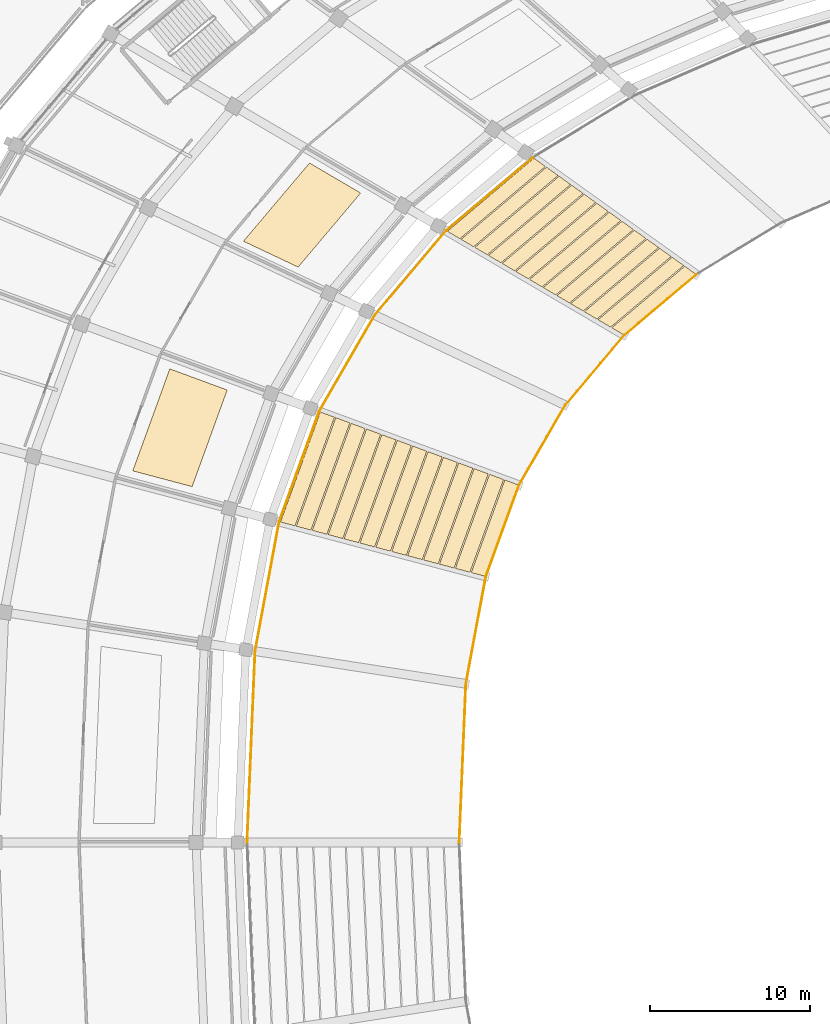
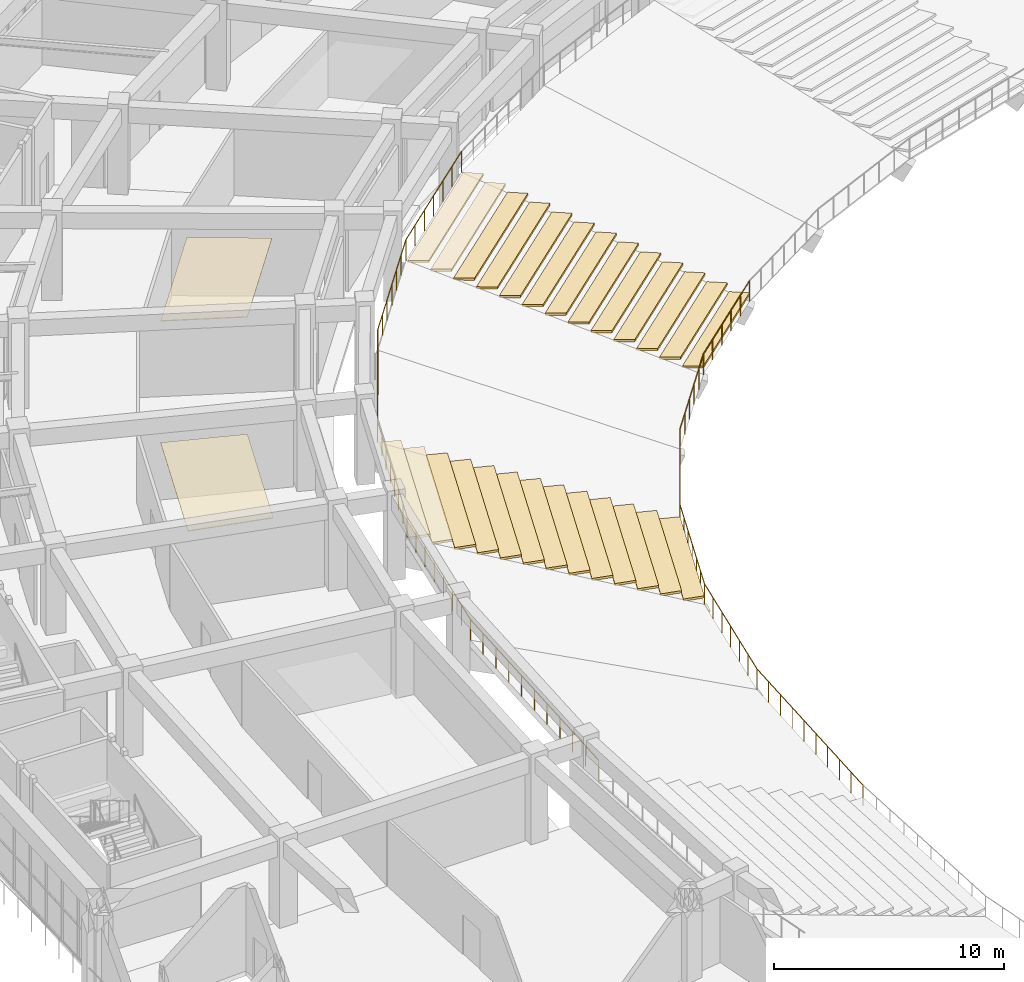
# One storey, part 132 of 152: 28 coverings, 2 railings.
"""IFC4 building model written with IfcOpenShell, lengths in metres."""

import ifcopenshell
import ifcopenshell.guid

model = None  # the IFC model being written
_history = None  # IfcOwnerHistory: only IFC2X3 demands one
_inside = {}  # id of a spatial element -> (the spatial element, [elements in it])
_under = {}  # id of a project, library or spatial element -> (it, [spatial elements below it])
_declared = {}  # id of a project -> (the project, [libraries it declares])
_typed = {}  # id of a type object -> (the type object, [elements of that type])
_made_of = {}  # id of a material, layer set ... -> (it, [elements and type objects made of it])


def new_model(schema):
    """Start an empty IFC model of exactly this schema.

    Asked for "IFC4X3", IfcOpenShell would pick the latest addendum, in which some entities
    have other attributes; the version numbers below select the first issue.
    IFC2X3 requires an IfcOwnerHistory on every rooted entity: one is made here for all.
    """
    global model, _history
    if schema == "IFC4X3":
        model = ifcopenshell.file(schema_version=(4, 3, 0, 0))
    else:
        model = ifcopenshell.file(schema=schema)
    _inside.clear()
    _under.clear()
    _declared.clear()
    _typed.clear()
    _made_of.clear()
    _history = None
    if model.schema == "IFC2X3":
        org = make("IfcOrganization", Name="unknown")
        user = make(
            "IfcPersonAndOrganization",
            ThePerson=make("IfcPerson", FamilyName="unknown"),
            TheOrganization=org,
        )
        app = make(
            "IfcApplication",
            ApplicationDeveloper=org,
            Version="unknown",
            ApplicationFullName="unknown",
            ApplicationIdentifier="unknown",
        )
        _history = make(
            "IfcOwnerHistory",
            OwningUser=user,
            OwningApplication=app,
            ChangeAction="ADDED",
            CreationDate=0,
        )
    return model


def make(cls, **values):
    """One entity of the class cls with the attributes given. An attribute that is None is left unset."""
    return model.create_entity(
        cls, **{name: value for name, value in values.items() if value is not None}
    )


def rooted(cls, **values):
    """An entity with a GlobalId (a new one), such as an element, a storey or a relation."""
    return make(cls, GlobalId=ifcopenshell.guid.new(), OwnerHistory=_history, **values)


def si_unit(unit_type, name, prefix=None):
    """IfcSIUnit, for example si_unit("LENGTHUNIT", "METRE", prefix="MILLI")."""
    return make("IfcSIUnit", UnitType=unit_type, Prefix=prefix, Name=name)


def assignment(units):
    """IfcUnitAssignment: the units of a project."""
    return None if units is None else make("IfcUnitAssignment", Units=units)


def point(xyz):
    """IfcCartesianPoint."""
    return None if xyz is None else make("IfcCartesianPoint", Coordinates=xyz)


def direction(xyz):
    """IfcDirection."""
    return None if xyz is None else make("IfcDirection", DirectionRatios=xyz)


def frame(location, z_axis=None, x_axis=None):
    """IfcAxis2Placement3D, a coordinate frame: its origin and axes. An axis left out is left unset."""
    return make(
        "IfcAxis2Placement3D",
        Location=point(location),
        Axis=direction(z_axis),
        RefDirection=direction(x_axis),
    )


def frame_2d(location, x_axis=None):
    """IfcAxis2Placement2D, a coordinate frame in the plane: its origin and x axis."""
    return make(
        "IfcAxis2Placement2D", Location=point(location), RefDirection=direction(x_axis)
    )


def origin():
    """The frame at (0, 0, 0) with its axes left unset."""
    return frame((0.0, 0.0, 0.0))


def origin_2d():
    """The frame at (0, 0) in the plane with its x axis left unset."""
    return frame_2d((0.0, 0.0))


def place(relative_to, where):
    """IfcLocalPlacement: puts the frame where relative to a parent placement (None: the world)."""
    return make(
        "IfcLocalPlacement", PlacementRelTo=relative_to, RelativePlacement=where
    )


def context(
    kind, dimensions, precision=None, world=None, true_north=None, identifier=None
):
    """IfcGeometricRepresentationContext, for example the 3D "Model" context."""
    return make(
        "IfcGeometricRepresentationContext",
        ContextIdentifier=identifier,
        ContextType=kind,
        CoordinateSpaceDimension=dimensions,
        Precision=precision,
        WorldCoordinateSystem=world,
        TrueNorth=true_north,
    )


def subcontext(parent, identifier, kind, view, scale=None):
    """IfcGeometricRepresentationSubContext, for example "Body" below "Model"."""
    return make(
        "IfcGeometricRepresentationSubContext",
        ContextIdentifier=identifier,
        ContextType=kind,
        ParentContext=parent,
        TargetScale=scale,
        TargetView=view,
    )


def project(units=None, contexts=None):
    """IfcProject with its units and contexts."""
    return rooted(
        "IfcProject",
        Name="project",
        RepresentationContexts=contexts,
        UnitsInContext=assignment(units),
    )


def spatial(cls, under=None, at=None, **own):
    """A site, building, storey or space (cls), placed at a placement, below another one or the project."""
    s = rooted(cls, ObjectPlacement=at, **own)
    if under is not None:
        _under.setdefault(under.id(), (under, []))[1].append(s)
    return s


def polyline(points):
    """IfcPolyline through the points."""
    return make("IfcPolyline", Points=[point(p) for p in points])


def profile(cls, at=None, kind="AREA", **sizes):
    """A parametric profile (cls). Its sizes go by their IFC names, for example OverallWidth=200.0."""
    return make(cls, ProfileType=kind, Position=at, **sizes)


def circle(**sizes):
    """IfcCircleProfileDef."""
    return profile("IfcCircleProfileDef", **sizes)


def outline(outer, holes=None, kind="AREA"):
    """IfcArbitraryClosedProfileDef: a profile drawn as a closed curve; with holes, ...WithVoids."""
    if holes is None:
        return make("IfcArbitraryClosedProfileDef", ProfileType=kind, OuterCurve=outer)
    return make(
        "IfcArbitraryProfileDefWithVoids",
        ProfileType=kind,
        OuterCurve=outer,
        InnerCurves=holes,
    )


def extrude(swept, where, along, depth):
    """IfcExtrudedAreaSolid: the profile swept, set in the frame where, extruded along a direction by depth."""
    return make(
        "IfcExtrudedAreaSolid",
        SweptArea=swept,
        Position=where,
        ExtrudedDirection=direction(along),
        Depth=depth,
    )


def shape(context_of_items, identifier, shape_type, items):
    """IfcShapeRepresentation: the items that make up one representation, for example the "Body"."""
    return make(
        "IfcShapeRepresentation",
        ContextOfItems=context_of_items,
        RepresentationIdentifier=identifier,
        RepresentationType=shape_type,
        Items=items,
    )


def material(Name=None, Category=None):
    """IfcMaterial."""
    return make("IfcMaterial", Name=Name, Category=Category)


def layer(
    of_material, thickness, ventilated=None, Name=None, Category=None, Priority=None
):
    """IfcMaterialLayer: one layer of a wall or slab, of a material (None: an air gap)."""
    return make(
        "IfcMaterialLayer",
        Material=of_material,
        LayerThickness=thickness,
        IsVentilated=ventilated,
        Name=Name,
        Category=Category,
        Priority=Priority,
    )


def layer_set(layers, Name=None):
    """IfcMaterialLayerSet."""
    return make("IfcMaterialLayerSet", MaterialLayers=layers, LayerSetName=Name)


def made_of(thing, what):
    """Note that an element or type object is made of a material, layer set ...; save() writes the relation."""
    if what is not None:
        _made_of.setdefault(what.id(), (what, []))[1].append(thing)
    return thing


def type_object(cls, material=None, **own):
    """A type object (cls), such as IfcWallType, which elements share."""
    return made_of(rooted(cls, **own), material)


def element(
    cls,
    number,
    at=None,
    inside=None,
    cuts=None,
    type_object=None,
    material=None,
    context=None,
    identifier="Body",
    shape_type=None,
    held_by="IfcProductDefinitionShape",
    body=None,
    shapes=None,
    **own,
):
    """One element of the class cls, such as IfcWall. Its Tag is "e" and its number.

    at: its placement. inside: the storey or other place that contains it. cuts: it is an
    opening in that element (IfcRelVoidsElement). A single representation is given by context,
    identifier, shape_type and body (its items); several are given by shapes. held_by: the class
    of the entity that holds the representations. save() writes the other relations.
    """
    e = rooted(cls, Tag="e%d" % number, ObjectPlacement=at, **own)
    if body is not None:
        shapes = [shape(context, identifier, shape_type, body)]
    if shapes is not None:
        e.Representation = make(held_by, Representations=shapes)
    if inside is not None:
        _inside.setdefault(inside.id(), (inside, []))[1].append(e)
    if cuts is not None:
        rooted(
            "IfcRelVoidsElement", RelatingBuildingElement=cuts, RelatedOpeningElement=e
        )
    if type_object is not None:
        _typed.setdefault(type_object.id(), (type_object, []))[1].append(e)
    return made_of(e, material)


def aggregate(whole, parts):
    """IfcRelAggregates: a whole, such as a stair, and the parts it consists of."""
    return rooted("IfcRelAggregates", RelatingObject=whole, RelatedObjects=parts)


def save(model, path):
    """Write the relations noted so far, then the file.

    IfcRelAggregates (storeys below a building ...), IfcRelContainedInSpatialStructure (elements
    in a storey), IfcRelDefinesByType, IfcRelAssociatesMaterial and IfcRelDeclares: one each for
    every whole, place, type object, material and project.
    """
    for whole, parts in _under.values():
        aggregate(whole, parts)
    for where, things in _inside.values():
        rooted(
            "IfcRelContainedInSpatialStructure",
            RelatedElements=things,
            RelatingStructure=where,
        )
    for kind, things in _typed.values():
        rooted("IfcRelDefinesByType", RelatedObjects=things, RelatingType=kind)
    for what, things in _made_of.values():
        rooted("IfcRelAssociatesMaterial", RelatedObjects=things, RelatingMaterial=what)
    for by, libraries in _declared.values():
        rooted("IfcRelDeclares", RelatingContext=by, RelatedDefinitions=libraries)
    model.write(path)


model = new_model("IFC4")

# Units and contexts
model_context = context("Model", 3, precision=1e-05, world=origin(), true_north=direction((0.0, 1.0)))
body_context = subcontext(model_context, "Body", "Model", "MODEL_VIEW")
ifc_project = project(units=[si_unit("LENGTHUNIT", "METRE"), si_unit("AREAUNIT", "SQUARE_METRE"), si_unit("VOLUMEUNIT", "CUBIC_METRE"), si_unit("PLANEANGLEUNIT", "RADIAN"), si_unit("MASSUNIT", "GRAM", prefix="KILO")], contexts=[model_context])

# Site, building, storey
site_placement = place(None, origin())
site = spatial("IfcSite", under=ifc_project, at=site_placement, CompositionType="ELEMENT")
building_placement = place(site_placement, origin())
building = spatial("IfcBuilding", under=site, at=building_placement, Name="Mphavela Belvedere Stadium", CompositionType="ELEMENT")
storey_placement = place(building_placement, frame((0.0, 0.0, 5.39990234375)))
storey = spatial("IfcBuildingStorey", under=building, at=storey_placement, Name="L01", CompositionType="ELEMENT", Elevation=5.39990234375)

# Coverings
ifc_material_1 = material(Name="Perforated acoustic mineral ceiling tile")
ifc_layer_1 = layer(ifc_material_1, 0.0400390625)
ifc_layer_set_1 = layer_set([ifc_layer_1], Name="Perforated acoustic mineral ceiling tile")
covering_type_1 = type_object("IfcCoveringType", Name="COV-CEILING-ACOUSTIC", PredefinedType="CEILING", material=ifc_layer_set_1)
covering_1_placement = place(storey_placement, frame((0.0, 0.0, 3.5)))
element("IfcCovering", 1, at=covering_1_placement, inside=storey, type_object=covering_type_1, Name="Concourse acoustic ceiling L01-20", PredefinedType="CEILING", context=body_context, shape_type="SweptSolid", body=[
    extrude(outline(polyline([(44.32080078125, 127.683349609375), (40.402099609375, 123.04248046875), (36.976806640625, 124.663818359375), (41.114990234375, 129.564453125), (44.32080078125, 127.683349609375)])), origin(), (0.0, 0.0, 1.0), 0.0400390625),
])
covering_2_placement = place(storey_placement, frame((0.0, 0.0, 3.5)))
element("IfcCovering", 2, at=covering_2_placement, inside=storey, type_object=covering_type_1, Name="Concourse acoustic ceiling L01-22", PredefinedType="CEILING", context=body_context, shape_type="SweptSolid", body=[
    extrude(outline(polyline([(35.958984375, 115.344970703125), (33.762939453125, 109.291748046875), (30.043701171875, 110.278076171875), (32.362548828125, 116.669921875), (35.958984375, 115.344970703125)])), origin(), (0.0, 0.0, 1.0), 0.0400390625),
])
ifc_material_2 = material(Name="Precast seating row terrazzo finish", Category="concrete")
ifc_layer_2 = layer(ifc_material_2, 0.1201171875)
ifc_layer_set_2 = layer_set([ifc_layer_2], Name="Precast seating row terrazzo finish")
covering_type_2 = type_object("IfcCoveringType", Name="COV-SEAT-ROW-L", PredefinedType="FLOORING", material=ifc_layer_set_2)
covering_3_placement = place(storey_placement, frame((0.0, 0.0, -3.75830078125)))
element("IfcCovering", 3, at=covering_3_placement, inside=storey, type_object=covering_type_2, Name="Lower stand seating row bench B19-R01", PredefinedType="FLOORING", context=body_context, shape_type="SweptSolid", body=[
    extrude(outline(polyline([(65.341064453125, 122.580322265625), (60.8349609375, 118.77783203125), (60.045166015625, 119.2412109375), (64.6171875, 123.09912109375), (65.341064453125, 122.580322265625)])), origin(), (0.0, 0.0, 1.0), 0.119873046875),
])
covering_4_placement = place(storey_placement, frame((0.0, 0.0, -3.296875)))
element("IfcCovering", 4, at=covering_4_placement, inside=storey, type_object=covering_type_2, Name="Lower stand seating row bench B19-R02", PredefinedType="FLOORING", context=body_context, shape_type="SweptSolid", body=[
    extrude(outline(polyline([(64.55419921875, 123.144287109375), (59.9765625, 119.281494140625), (59.18701171875, 119.744873046875), (63.830078125, 123.662841796875), (64.55419921875, 123.144287109375)])), origin(), (0.0, 0.0, 1.0), 0.1201171875),
])
covering_5_placement = place(storey_placement, frame((0.0, 0.0, -2.835205078125)))
element("IfcCovering", 5, at=covering_5_placement, inside=storey, type_object=covering_type_2, Name="Lower stand seating row bench B19-R03", PredefinedType="FLOORING", context=body_context, shape_type="SweptSolid", body=[
    extrude(outline(polyline([(63.76708984375, 123.7080078125), (59.1181640625, 119.78515625), (58.32861328125, 120.248291015625), (63.043212890625, 124.226806640625), (63.76708984375, 123.7080078125)])), origin(), (0.0, 0.0, 1.0), 0.119873046875),
])
covering_6_placement = place(storey_placement, frame((0.0, 0.0, -2.373779296875)))
element("IfcCovering", 6, at=covering_6_placement, inside=storey, type_object=covering_type_2, Name="Lower stand seating row bench B19-R04", PredefinedType="FLOORING", context=body_context, shape_type="SweptSolid", body=[
    extrude(outline(polyline([(62.980224609375, 124.27197265625), (58.259765625, 120.288818359375), (57.47021484375, 120.751953125), (62.256103515625, 124.790771484375), (62.980224609375, 124.27197265625)])), origin(), (0.0, 0.0, 1.0), 0.1201171875),
])
covering_7_placement = place(storey_placement, frame((0.0, 0.0, -1.912109375)))
element("IfcCovering", 7, at=covering_7_placement, inside=storey, type_object=covering_type_2, Name="Lower stand seating row bench B19-R05", PredefinedType="FLOORING", context=body_context, shape_type="SweptSolid", body=[
    extrude(outline(polyline([(62.193359375, 124.835693359375), (57.401611328125, 120.792236328125), (56.61181640625, 121.255615234375), (61.46923828125, 125.3544921875), (62.193359375, 124.835693359375)])), origin(), (0.0, 0.0, 1.0), 0.119873046875),
])
covering_8_placement = place(storey_placement, frame((0.0, 0.0, -1.45068359375)))
element("IfcCovering", 8, at=covering_8_placement, inside=storey, type_object=covering_type_2, Name="Lower stand seating row bench B19-R06", PredefinedType="FLOORING", context=body_context, shape_type="SweptSolid", body=[
    extrude(outline(polyline([(61.40625, 125.399658203125), (56.543212890625, 121.2958984375), (55.75341796875, 121.75927734375), (60.682373046875, 125.91845703125), (61.40625, 125.399658203125)])), origin(), (0.0, 0.0, 1.0), 0.119873046875),
])
covering_9_placement = place(storey_placement, frame((0.0, 0.0, -0.989013671875)))
element("IfcCovering", 9, at=covering_9_placement, inside=storey, type_object=covering_type_2, Name="Lower stand seating row bench B19-R07", PredefinedType="FLOORING", context=body_context, shape_type="SweptSolid", body=[
    extrude(outline(polyline([(60.619384765625, 125.96337890625), (55.684814453125, 121.799560546875), (54.89501953125, 122.2626953125), (59.895263671875, 126.482177734375), (60.619384765625, 125.96337890625)])), origin(), (0.0, 0.0, 1.0), 0.119873046875),
])
covering_10_placement = place(storey_placement, frame((0.0, 0.0, -0.527587890625)))
element("IfcCovering", 10, at=covering_10_placement, inside=storey, type_object=covering_type_2, Name="Lower stand seating row bench B19-R08", PredefinedType="FLOORING", context=body_context, shape_type="SweptSolid", body=[
    extrude(outline(polyline([(59.83251953125, 126.52734375), (54.826416015625, 122.302978515625), (54.03662109375, 122.766357421875), (59.1083984375, 127.046142578125), (59.83251953125, 126.52734375)])), origin(), (0.0, 0.0, 1.0), 0.119873046875),
])
covering_11_placement = place(storey_placement, frame((0.0, 0.0, -0.066162109375)))
element("IfcCovering", 11, at=covering_11_placement, inside=storey, type_object=covering_type_2, Name="Lower stand seating row bench B19-R09", PredefinedType="FLOORING", context=body_context, shape_type="SweptSolid", body=[
    extrude(outline(polyline([(59.04541015625, 127.09130859375), (53.968017578125, 122.806640625), (53.17822265625, 123.27001953125), (58.3212890625, 127.60986328125), (59.04541015625, 127.09130859375)])), origin(), (0.0, 0.0, 1.0), 0.1201171875),
])
covering_12_placement = place(storey_placement, frame((0.0, 0.0, 0.3955078125)))
element("IfcCovering", 12, at=covering_12_placement, inside=storey, type_object=covering_type_2, Name="Lower stand seating row bench B19-R10", PredefinedType="FLOORING", context=body_context, shape_type="SweptSolid", body=[
    extrude(outline(polyline([(58.258544921875, 127.655029296875), (53.109619140625, 123.310302734375), (52.31982421875, 123.7734375), (57.534423828125, 128.173828125), (58.258544921875, 127.655029296875)])), origin(), (0.0, 0.0, 1.0), 0.119873046875),
])
covering_13_placement = place(storey_placement, frame((0.0, 0.0, 0.85693359375)))
element("IfcCovering", 13, at=covering_13_placement, inside=storey, type_object=covering_type_2, Name="Lower stand seating row bench B19-R11", PredefinedType="FLOORING", context=body_context, shape_type="SweptSolid", body=[
    extrude(outline(polyline([(57.471435546875, 128.218994140625), (52.251220703125, 123.813720703125), (51.46142578125, 124.277099609375), (56.74755859375, 128.737548828125), (57.471435546875, 128.218994140625)])), origin(), (0.0, 0.0, 1.0), 0.1201171875),
])
covering_14_placement = place(storey_placement, frame((0.0, 0.0, 1.318603515625)))
element("IfcCovering", 14, at=covering_14_placement, inside=storey, type_object=covering_type_2, Name="Lower stand seating row bench B19-R12", PredefinedType="FLOORING", context=body_context, shape_type="SweptSolid", body=[
    extrude(outline(polyline([(56.6845703125, 128.78271484375), (51.392822265625, 124.3173828125), (50.603271484375, 124.78076171875), (55.96044921875, 129.301513671875), (56.6845703125, 128.78271484375)])), origin(), (0.0, 0.0, 1.0), 0.119873046875),
])
covering_15_placement = place(storey_placement, frame((0.0, 0.0, 1.780029296875)))
element("IfcCovering", 15, at=covering_15_placement, inside=storey, type_object=covering_type_2, Name="Lower stand seating row bench B19-R13", PredefinedType="FLOORING", context=body_context, shape_type="SweptSolid", body=[
    extrude(outline(polyline([(55.897705078125, 129.3466796875), (50.534423828125, 124.821044921875), (49.744873046875, 125.2841796875), (55.173583984375, 129.865234375), (55.897705078125, 129.3466796875)])), origin(), (0.0, 0.0, 1.0), 0.1201171875),
])
covering_16_placement = place(storey_placement, frame((0.0, 0.0, -3.75830078125)))
element("IfcCovering", 16, at=covering_16_placement, inside=storey, type_object=covering_type_2, Name="Lower stand seating row bench B22-R01", PredefinedType="FLOORING", context=body_context, shape_type="SweptSolid", body=[
    extrude(outline(polyline([(54.236572265625, 109.385498046875), (52.160888671875, 103.664306640625), (51.24462890625, 103.9072265625), (53.3505859375, 109.7119140625), (54.236572265625, 109.385498046875)])), origin(), (0.0, 0.0, 1.0), 0.119873046875),
])
covering_17_placement = place(storey_placement, frame((0.0, 0.0, -3.296875)))
element("IfcCovering", 17, at=covering_17_placement, inside=storey, type_object=covering_type_2, Name="Lower stand seating row bench B22-R02", PredefinedType="FLOORING", context=body_context, shape_type="SweptSolid", body=[
    extrude(outline(polyline([(53.273681640625, 109.740234375), (51.1650390625, 103.92822265625), (50.248779296875, 104.171142578125), (52.3876953125, 110.066650390625), (53.273681640625, 109.740234375)])), origin(), (0.0, 0.0, 1.0), 0.1201171875),
])
covering_18_placement = place(storey_placement, frame((0.0, 0.0, -2.835205078125)))
element("IfcCovering", 18, at=covering_18_placement, inside=storey, type_object=covering_type_2, Name="Lower stand seating row bench B22-R03", PredefinedType="FLOORING", context=body_context, shape_type="SweptSolid", body=[
    extrude(outline(polyline([(52.310546875, 110.09521484375), (50.169189453125, 104.1923828125), (49.2529296875, 104.435302734375), (51.4248046875, 110.42138671875), (52.310546875, 110.09521484375)])), origin(), (0.0, 0.0, 1.0), 0.119873046875),
])
covering_19_placement = place(storey_placement, frame((0.0, 0.0, -2.373779296875)))
element("IfcCovering", 19, at=covering_19_placement, inside=storey, type_object=covering_type_2, Name="Lower stand seating row bench B22-R04", PredefinedType="FLOORING", context=body_context, shape_type="SweptSolid", body=[
    extrude(outline(polyline([(51.34765625, 110.44970703125), (49.17333984375, 104.45654296875), (48.257080078125, 104.699462890625), (50.4619140625, 110.776123046875), (51.34765625, 110.44970703125)])), origin(), (0.0, 0.0, 1.0), 0.1201171875),
])
covering_20_placement = place(storey_placement, frame((0.0, 0.0, -1.912109375)))
element("IfcCovering", 20, at=covering_20_placement, inside=storey, type_object=covering_type_2, Name="Lower stand seating row bench B22-R05", PredefinedType="FLOORING", context=body_context, shape_type="SweptSolid", body=[
    extrude(outline(polyline([(50.384765625, 110.8046875), (48.177490234375, 104.720458984375), (47.261474609375, 104.96337890625), (49.498779296875, 111.131103515625), (50.384765625, 110.8046875)])), origin(), (0.0, 0.0, 1.0), 0.119873046875),
])
covering_21_placement = place(storey_placement, frame((0.0, 0.0, -1.45068359375)))
element("IfcCovering", 21, at=covering_21_placement, inside=storey, type_object=covering_type_2, Name="Lower stand seating row bench B22-R06", PredefinedType="FLOORING", context=body_context, shape_type="SweptSolid", body=[
    extrude(outline(polyline([(49.421875, 111.1591796875), (47.181640625, 104.984619140625), (46.265380859375, 105.2275390625), (48.535888671875, 111.485595703125), (49.421875, 111.1591796875)])), origin(), (0.0, 0.0, 1.0), 0.119873046875),
])
covering_22_placement = place(storey_placement, frame((0.0, 0.0, -0.989013671875)))
element("IfcCovering", 22, at=covering_22_placement, inside=storey, type_object=covering_type_2, Name="Lower stand seating row bench B22-R07", PredefinedType="FLOORING", context=body_context, shape_type="SweptSolid", body=[
    extrude(outline(polyline([(48.458984375, 111.51416015625), (46.185791015625, 105.248779296875), (45.269775390625, 105.49169921875), (47.572998046875, 111.840576171875), (48.458984375, 111.51416015625)])), origin(), (0.0, 0.0, 1.0), 0.119873046875),
])
covering_23_placement = place(storey_placement, frame((0.0, 0.0, -0.527587890625)))
element("IfcCovering", 23, at=covering_23_placement, inside=storey, type_object=covering_type_2, Name="Lower stand seating row bench B22-R08", PredefinedType="FLOORING", context=body_context, shape_type="SweptSolid", body=[
    extrude(outline(polyline([(47.495849609375, 111.868896484375), (45.18994140625, 105.5126953125), (44.27392578125, 105.755615234375), (46.610107421875, 112.1953125), (47.495849609375, 111.868896484375)])), origin(), (0.0, 0.0, 1.0), 0.119873046875),
])
covering_24_placement = place(storey_placement, frame((0.0, 0.0, -0.066162109375)))
element("IfcCovering", 24, at=covering_24_placement, inside=storey, type_object=covering_type_2, Name="Lower stand seating row bench B22-R09", PredefinedType="FLOORING", context=body_context, shape_type="SweptSolid", body=[
    extrude(outline(polyline([(46.532958984375, 112.2236328125), (44.194091796875, 105.77685546875), (43.278076171875, 106.019775390625), (45.647216796875, 112.550048828125), (46.532958984375, 112.2236328125)])), origin(), (0.0, 0.0, 1.0), 0.1201171875),
])
covering_25_placement = place(storey_placement, frame((0.0, 0.0, 0.3955078125)))
element("IfcCovering", 25, at=covering_25_placement, inside=storey, type_object=covering_type_2, Name="Lower stand seating row bench B22-R10", PredefinedType="FLOORING", context=body_context, shape_type="SweptSolid", body=[
    extrude(outline(polyline([(45.570068359375, 112.578369140625), (43.198486328125, 106.041015625), (42.2822265625, 106.283935546875), (44.68408203125, 112.90478515625), (45.570068359375, 112.578369140625)])), origin(), (0.0, 0.0, 1.0), 0.119873046875),
])
covering_26_placement = place(storey_placement, frame((0.0, 0.0, 0.85693359375)))
element("IfcCovering", 26, at=covering_26_placement, inside=storey, type_object=covering_type_2, Name="Lower stand seating row bench B22-R11", PredefinedType="FLOORING", context=body_context, shape_type="SweptSolid", body=[
    extrude(outline(polyline([(44.607177734375, 112.93310546875), (42.20263671875, 106.304931640625), (41.286376953125, 106.548095703125), (43.72119140625, 113.259521484375), (44.607177734375, 112.93310546875)])), origin(), (0.0, 0.0, 1.0), 0.1201171875),
])
covering_27_placement = place(storey_placement, frame((0.0, 0.0, 1.318603515625)))
element("IfcCovering", 27, at=covering_27_placement, inside=storey, type_object=covering_type_2, Name="Lower stand seating row bench B22-R12", PredefinedType="FLOORING", context=body_context, shape_type="SweptSolid", body=[
    extrude(outline(polyline([(43.644287109375, 113.287841796875), (41.206787109375, 106.569091796875), (40.29052734375, 106.81201171875), (42.75830078125, 113.6142578125), (43.644287109375, 113.287841796875)])), origin(), (0.0, 0.0, 1.0), 0.119873046875),
])
covering_28_placement = place(storey_placement, frame((0.0, 0.0, 1.780029296875)))
element("IfcCovering", 28, at=covering_28_placement, inside=storey, type_object=covering_type_2, Name="Lower stand seating row bench B22-R13", PredefinedType="FLOORING", context=body_context, shape_type="SweptSolid", body=[
    extrude(outline(polyline([(42.681396484375, 113.642578125), (40.2109375, 106.833251953125), (39.294677734375, 107.076171875), (41.79541015625, 113.968994140625), (42.681396484375, 113.642578125)])), origin(), (0.0, 0.0, 1.0), 0.1201171875),
])

# Railings
ifc_material_3 = material(Name="Bronze and laminated glass stadium balustrade", Category="glass")
railing_type = type_object("IfcRailingType", Name="RAL-BALUSTRADE-1120", PredefinedType="BALUSTRADE", material=ifc_material_3)
railing_1_placement = place(storey_placement, frame((65.341064453125, 122.580322265625, -4.099853515625)))
element("IfcRailing", 29, at=railing_1_placement, inside=storey, type_object=railing_type, Name="Bowl safety balustrade t1_front S4", PredefinedType="BALUSTRADE", context=body_context, shape_type="SweptSolid", body=[
    extrude(circle(Radius=0.02392578125, at=origin_2d()), frame((0.0, 0.0, 1.09619140625), z_axis=(-0.764252578724, -0.644917045762, 0.0), x_axis=(0.644917045762, -0.764252578724, 0.0)), (0.0, 0.0, 1.0), 5.89599609375),
    extrude(circle(Radius=0.02392578125, at=origin_2d()), frame((-4.506103515625, -3.802490234375, 1.09619140625), z_axis=(-0.645177508065, -0.764032710744, 0.0), x_axis=(0.764032710744, -0.645177508065, 0.0)), (0.0, 0.0, 1.0), 5.7412109375),
    extrude(circle(Radius=0.02392578125, at=origin_2d()), frame((-8.210205078125, -8.18896484375, 1.09619140625), z_axis=(-0.500538549493, -0.86571424874, 0.0), x_axis=(0.86571424874, -0.500538549493, 0.0)), (0.0, 0.0, 1.0), 5.7822265625),
    extrude(circle(Radius=0.02392578125, at=origin_2d()), frame((-11.1044921875, -13.19482421875, 1.09619140625), z_axis=(-0.341053704054, -0.940043813315, 0.0), x_axis=(0.940043813315, -0.341053704054, 0.0)), (0.0, 0.0, 1.0), 6.086181640625),
    extrude(circle(Radius=0.02392578125, at=origin_2d()), frame((-13.18017578125, -18.916015625, 1.09619140625), z_axis=(-0.182635082941, -0.983180769991, 0.0), x_axis=(0.983180769991, -0.182635082941, 0.0)), (0.0, 0.0, 1.0), 6.8388671875),
    extrude(circle(Radius=0.02392578125, at=origin_2d()), frame((-14.42919921875, -25.639892578125, 1.09619140625), z_axis=(-0.041887754326, -0.99912232286, 0.0), x_axis=(0.99912232286, -0.041887754326, 0.0)), (0.0, 0.0, 1.0), 9.94921875),
    extrude(circle(Radius=0.02099609375, at=origin_2d()), origin(), (0.0, 0.0, 1.0), 1.072021484375),
    extrude(circle(Radius=0.02099609375, at=origin_2d()), frame((-0.901123046875, -0.760498046875, 0.0)), (0.0, 0.0, 1.0), 1.072021484375),
    extrude(circle(Radius=0.02099609375, at=origin_2d()), frame((-1.802490234375, -1.52099609375, 0.0)), (0.0, 0.0, 1.0), 1.072021484375),
    extrude(circle(Radius=0.02099609375, at=origin_2d()), frame((-2.70361328125, -2.281494140625, 0.0)), (0.0, 0.0, 1.0), 1.072021484375),
    extrude(circle(Radius=0.02099609375, at=origin_2d()), frame((-3.60498046875, -3.0419921875, 0.0)), (0.0, 0.0, 1.0), 1.072021484375),
    extrude(circle(Radius=0.02099609375, at=origin_2d()), frame((-4.506103515625, -3.802490234375, 0.0)), (0.0, 0.0, 1.0), 1.072021484375),
    extrude(circle(Radius=0.02099609375, at=origin_2d()), frame((-5.246826171875, -4.6796875, 0.0)), (0.0, 0.0, 1.0), 1.072021484375),
    extrude(circle(Radius=0.02099609375, at=origin_2d()), frame((-5.98779296875, -5.55712890625, 0.0)), (0.0, 0.0, 1.0), 1.072021484375),
    extrude(circle(Radius=0.02099609375, at=origin_2d()), frame((-6.728515625, -6.434326171875, 0.0)), (0.0, 0.0, 1.0), 1.072021484375),
    extrude(circle(Radius=0.02099609375, at=origin_2d()), frame((-7.469482421875, -7.311767578125, 0.0)), (0.0, 0.0, 1.0), 1.072021484375),
    extrude(circle(Radius=0.02099609375, at=origin_2d()), frame((-8.210205078125, -8.18896484375, 0.0)), (0.0, 0.0, 1.0), 1.072021484375),
    extrude(circle(Radius=0.02099609375, at=origin_2d()), frame((-8.7890625, -9.190185546875, 0.0)), (0.0, 0.0, 1.0), 1.072021484375),
    extrude(circle(Radius=0.02099609375, at=origin_2d()), frame((-9.367919921875, -10.19140625, 0.0)), (0.0, 0.0, 1.0), 1.072021484375),
    extrude(circle(Radius=0.02099609375, at=origin_2d()), frame((-9.94677734375, -11.1923828125, 0.0)), (0.0, 0.0, 1.0), 1.072021484375),
    extrude(circle(Radius=0.02099609375, at=origin_2d()), frame((-10.525634765625, -12.193603515625, 0.0)), (0.0, 0.0, 1.0), 1.072021484375),
    extrude(circle(Radius=0.02099609375, at=origin_2d()), frame((-11.1044921875, -13.19482421875, 0.0)), (0.0, 0.0, 1.0), 1.072021484375),
    extrude(circle(Radius=0.02099609375, at=origin_2d()), frame((-11.450439453125, -14.1484375, 0.0)), (0.0, 0.0, 1.0), 1.072021484375),
    extrude(circle(Radius=0.02099609375, at=origin_2d()), frame((-11.79638671875, -15.101806640625, 0.0)), (0.0, 0.0, 1.0), 1.072021484375),
    extrude(circle(Radius=0.02099609375, at=origin_2d()), frame((-12.142333984375, -16.055419921875, 0.0)), (0.0, 0.0, 1.0), 1.072021484375),
    extrude(circle(Radius=0.02099609375, at=origin_2d()), frame((-12.48828125, -17.009033203125, 0.0)), (0.0, 0.0, 1.0), 1.072021484375),
    extrude(circle(Radius=0.02099609375, at=origin_2d()), frame((-12.834228515625, -17.96240234375, 0.0)), (0.0, 0.0, 1.0), 1.072021484375),
    extrude(circle(Radius=0.02099609375, at=origin_2d()), frame((-13.18017578125, -18.916015625, 0.0)), (0.0, 0.0, 1.0), 1.072021484375),
    extrude(circle(Radius=0.02099609375, at=origin_2d()), frame((-13.388427734375, -20.03662109375, 0.0)), (0.0, 0.0, 1.0), 1.072021484375),
    extrude(circle(Radius=0.02099609375, at=origin_2d()), frame((-13.596435546875, -21.1572265625, 0.0)), (0.0, 0.0, 1.0), 1.072021484375),
    extrude(circle(Radius=0.02099609375, at=origin_2d()), frame((-13.8046875, -22.27783203125, 0.0)), (0.0, 0.0, 1.0), 1.072021484375),
    extrude(circle(Radius=0.02099609375, at=origin_2d()), frame((-14.012939453125, -23.398681640625, 0.0)), (0.0, 0.0, 1.0), 1.072021484375),
    extrude(circle(Radius=0.02099609375, at=origin_2d()), frame((-14.220947265625, -24.519287109375, 0.0)), (0.0, 0.0, 1.0), 1.072021484375),
    extrude(circle(Radius=0.02099609375, at=origin_2d()), frame((-14.42919921875, -25.639892578125, 0.0)), (0.0, 0.0, 1.0), 1.072021484375),
    extrude(circle(Radius=0.02099609375, at=origin_2d()), frame((-14.4755859375, -26.744384765625, 0.0)), (0.0, 0.0, 1.0), 1.072021484375),
    extrude(circle(Radius=0.02099609375, at=origin_2d()), frame((-14.521728515625, -27.848876953125, 0.0)), (0.0, 0.0, 1.0), 1.072021484375),
    extrude(circle(Radius=0.02099609375, at=origin_2d()), frame((-14.568115234375, -28.953369140625, 0.0)), (0.0, 0.0, 1.0), 1.072021484375),
    extrude(circle(Radius=0.02099609375, at=origin_2d()), frame((-14.614501953125, -30.057861328125, 0.0)), (0.0, 0.0, 1.0), 1.072021484375),
    extrude(circle(Radius=0.02099609375, at=origin_2d()), frame((-14.66064453125, -31.162353515625, 0.0)), (0.0, 0.0, 1.0), 1.072021484375),
    extrude(circle(Radius=0.02099609375, at=origin_2d()), frame((-14.70703125, -32.266845703125, 0.0)), (0.0, 0.0, 1.0), 1.072021484375),
    extrude(circle(Radius=0.02099609375, at=origin_2d()), frame((-14.75341796875, -33.371337890625, 0.0)), (0.0, 0.0, 1.0), 1.072021484375),
    extrude(circle(Radius=0.02099609375, at=origin_2d()), frame((-14.799560546875, -34.475830078125, 0.0)), (0.0, 0.0, 1.0), 1.072021484375),
    extrude(circle(Radius=0.02099609375, at=origin_2d()), frame((-14.845947265625, -35.580322265625, 0.0)), (0.0, 0.0, 1.0), 1.072021484375),
])
railing_2_placement = place(storey_placement, frame((55.110595703125, 129.910400390625, 1.900146484375)))
element("IfcRailing", 30, at=railing_2_placement, inside=storey, type_object=railing_type, Name="Bowl safety balustrade t1_rear S4", PredefinedType="BALUSTRADE", context=body_context, shape_type="SweptSolid", body=[
    extrude(circle(Radius=0.02392578125, at=origin_2d()), frame((0.0, 0.0, 1.09619140625), z_axis=(-0.764272445786, -0.644893501761, 0.0), x_axis=(0.644893501761, -0.764272445786, 0.0)), (0.0, 0.0, 1.0), 7.11083984375),
    extrude(circle(Radius=0.02392578125, at=origin_2d()), frame((-5.4345703125, -4.585693359375, 1.09619140625), z_axis=(-0.645154745887, -0.764051931389, 0.0), x_axis=(0.764051931389, -0.645154745887, 0.0)), (0.0, 0.0, 1.0), 6.924072265625),
    extrude(circle(Radius=0.02392578125, at=origin_2d()), frame((-9.901611328125, -9.8759765625, 1.09619140625), z_axis=(-0.500558706361, -0.865702594132, 0.0), x_axis=(0.865702594132, -0.500558706361, 0.0)), (0.0, 0.0, 1.0), 6.9736328125),
    extrude(circle(Radius=0.02392578125, at=origin_2d()), frame((-13.392333984375, -15.9130859375, 1.09619140625), z_axis=(-0.341035238326, -0.940050512589, 0.0), x_axis=(0.940050512589, -0.341035238326, 0.0)), (0.0, 0.0, 1.0), 7.33984375),
    extrude(circle(Radius=0.02392578125, at=origin_2d()), frame((-15.8955078125, -22.81298828125, 1.09619140625), z_axis=(-0.182635114109, -0.983180764201, 0.0), x_axis=(0.983180764201, -0.182635114109, 0.0)), (0.0, 0.0, 1.0), 8.247802734375),
    extrude(circle(Radius=0.02392578125, at=origin_2d()), frame((-17.40185546875, -30.922119140625, 1.09619140625), z_axis=(-0.041894596613, -0.999122035977, 0.0), x_axis=(0.999122035977, -0.041894596613, 0.0)), (0.0, 0.0, 1.0), 11.998779296875),
    extrude(circle(Radius=0.02099609375, at=origin_2d()), origin(), (0.0, 0.0, 1.0), 1.072021484375),
    extrude(circle(Radius=0.02099609375, at=origin_2d()), frame((-0.90576171875, -0.76416015625, 0.0)), (0.0, 0.0, 1.0), 1.072021484375),
    extrude(circle(Radius=0.02099609375, at=origin_2d()), frame((-1.8115234375, -1.528564453125, 0.0)), (0.0, 0.0, 1.0), 1.072021484375),
    extrude(circle(Radius=0.02099609375, at=origin_2d()), frame((-2.71728515625, -2.29296875, 0.0)), (0.0, 0.0, 1.0), 1.072021484375),
    extrude(circle(Radius=0.02099609375, at=origin_2d()), frame((-3.623046875, -3.05712890625, 0.0)), (0.0, 0.0, 1.0), 1.072021484375),
    extrude(circle(Radius=0.02099609375, at=origin_2d()), frame((-4.52880859375, -3.8212890625, 0.0)), (0.0, 0.0, 1.0), 1.072021484375),
    extrude(circle(Radius=0.02099609375, at=origin_2d()), frame((-5.4345703125, -4.585693359375, 0.0)), (0.0, 0.0, 1.0), 1.072021484375),
    extrude(circle(Radius=0.02099609375, at=origin_2d()), frame((-6.17919921875, -5.46728515625, 0.0)), (0.0, 0.0, 1.0), 1.072021484375),
    extrude(circle(Radius=0.02099609375, at=origin_2d()), frame((-6.923583984375, -6.34912109375, 0.0)), (0.0, 0.0, 1.0), 1.072021484375),
    extrude(circle(Radius=0.02099609375, at=origin_2d()), frame((-7.66796875, -7.23095703125, 0.0)), (0.0, 0.0, 1.0), 1.072021484375),
    extrude(circle(Radius=0.02099609375, at=origin_2d()), frame((-8.41259765625, -8.112548828125, 0.0)), (0.0, 0.0, 1.0), 1.072021484375),
    extrude(circle(Radius=0.02099609375, at=origin_2d()), frame((-9.1572265625, -8.994140625, 0.0)), (0.0, 0.0, 1.0), 1.072021484375),
    extrude(circle(Radius=0.02099609375, at=origin_2d()), frame((-9.901611328125, -9.8759765625, 0.0)), (0.0, 0.0, 1.0), 1.072021484375),
    extrude(circle(Radius=0.02099609375, at=origin_2d()), frame((-10.4833984375, -10.882080078125, 0.0)), (0.0, 0.0, 1.0), 1.072021484375),
    extrude(circle(Radius=0.02099609375, at=origin_2d()), frame((-11.065185546875, -11.888427734375, 0.0)), (0.0, 0.0, 1.0), 1.072021484375),
    extrude(circle(Radius=0.02099609375, at=origin_2d()), frame((-11.64697265625, -12.89453125, 0.0)), (0.0, 0.0, 1.0), 1.072021484375),
    extrude(circle(Radius=0.02099609375, at=origin_2d()), frame((-12.228759765625, -13.900634765625, 0.0)), (0.0, 0.0, 1.0), 1.072021484375),
    extrude(circle(Radius=0.02099609375, at=origin_2d()), frame((-12.810546875, -14.906982421875, 0.0)), (0.0, 0.0, 1.0), 1.072021484375),
    extrude(circle(Radius=0.02099609375, at=origin_2d()), frame((-13.392333984375, -15.9130859375, 0.0)), (0.0, 0.0, 1.0), 1.072021484375),
    extrude(circle(Radius=0.02099609375, at=origin_2d()), frame((-13.75, -16.898681640625, 0.0)), (0.0, 0.0, 1.0), 1.072021484375),
    extrude(circle(Radius=0.02099609375, at=origin_2d()), frame((-14.107421875, -17.884521484375, 0.0)), (0.0, 0.0, 1.0), 1.072021484375),
    extrude(circle(Radius=0.02099609375, at=origin_2d()), frame((-14.465087890625, -18.8701171875, 0.0)), (0.0, 0.0, 1.0), 1.072021484375),
    extrude(circle(Radius=0.02099609375, at=origin_2d()), frame((-14.82275390625, -19.85595703125, 0.0)), (0.0, 0.0, 1.0), 1.072021484375),
    extrude(circle(Radius=0.02099609375, at=origin_2d()), frame((-15.180419921875, -20.841552734375, 0.0)), (0.0, 0.0, 1.0), 1.072021484375),
    extrude(circle(Radius=0.02099609375, at=origin_2d()), frame((-15.537841796875, -21.827392578125, 0.0)), (0.0, 0.0, 1.0), 1.072021484375),
    extrude(circle(Radius=0.02099609375, at=origin_2d()), frame((-15.8955078125, -22.81298828125, 0.0)), (0.0, 0.0, 1.0), 1.072021484375),
    extrude(circle(Radius=0.02099609375, at=origin_2d()), frame((-16.110595703125, -23.971435546875, 0.0)), (0.0, 0.0, 1.0), 1.072021484375),
    extrude(circle(Radius=0.02099609375, at=origin_2d()), frame((-16.325927734375, -25.1298828125, 0.0)), (0.0, 0.0, 1.0), 1.072021484375),
    extrude(circle(Radius=0.02099609375, at=origin_2d()), frame((-16.541015625, -26.288330078125, 0.0)), (0.0, 0.0, 1.0), 1.072021484375),
    extrude(circle(Radius=0.02099609375, at=origin_2d()), frame((-16.75634765625, -27.44677734375, 0.0)), (0.0, 0.0, 1.0), 1.072021484375),
    extrude(circle(Radius=0.02099609375, at=origin_2d()), frame((-16.971435546875, -28.605224609375, 0.0)), (0.0, 0.0, 1.0), 1.072021484375),
    extrude(circle(Radius=0.02099609375, at=origin_2d()), frame((-17.186767578125, -29.763671875, 0.0)), (0.0, 0.0, 1.0), 1.072021484375),
    extrude(circle(Radius=0.02099609375, at=origin_2d()), frame((-17.40185546875, -30.922119140625, 0.0)), (0.0, 0.0, 1.0), 1.072021484375),
    extrude(circle(Radius=0.02099609375, at=origin_2d()), frame((-17.4521484375, -32.120849609375, 0.0)), (0.0, 0.0, 1.0), 1.072021484375),
    extrude(circle(Radius=0.02099609375, at=origin_2d()), frame((-17.50244140625, -33.31982421875, 0.0)), (0.0, 0.0, 1.0), 1.072021484375),
    extrude(circle(Radius=0.02099609375, at=origin_2d()), frame((-17.552734375, -34.5185546875, 0.0)), (0.0, 0.0, 1.0), 1.072021484375),
    extrude(circle(Radius=0.02099609375, at=origin_2d()), frame((-17.60302734375, -35.717529296875, 0.0)), (0.0, 0.0, 1.0), 1.072021484375),
    extrude(circle(Radius=0.02099609375, at=origin_2d()), frame((-17.6533203125, -36.916259765625, 0.0)), (0.0, 0.0, 1.0), 1.072021484375),
    extrude(circle(Radius=0.02099609375, at=origin_2d()), frame((-17.703369140625, -38.114990234375, 0.0)), (0.0, 0.0, 1.0), 1.072021484375),
    extrude(circle(Radius=0.02099609375, at=origin_2d()), frame((-17.753662109375, -39.31396484375, 0.0)), (0.0, 0.0, 1.0), 1.072021484375),
    extrude(circle(Radius=0.02099609375, at=origin_2d()), frame((-17.803955078125, -40.5126953125, 0.0)), (0.0, 0.0, 1.0), 1.072021484375),
    extrude(circle(Radius=0.02099609375, at=origin_2d()), frame((-17.854248046875, -41.711669921875, 0.0)), (0.0, 0.0, 1.0), 1.072021484375),
    extrude(circle(Radius=0.02099609375, at=origin_2d()), frame((-17.904541015625, -42.910400390625, 0.0)), (0.0, 0.0, 1.0), 1.072021484375),
])

save(model, "model.ifc")
